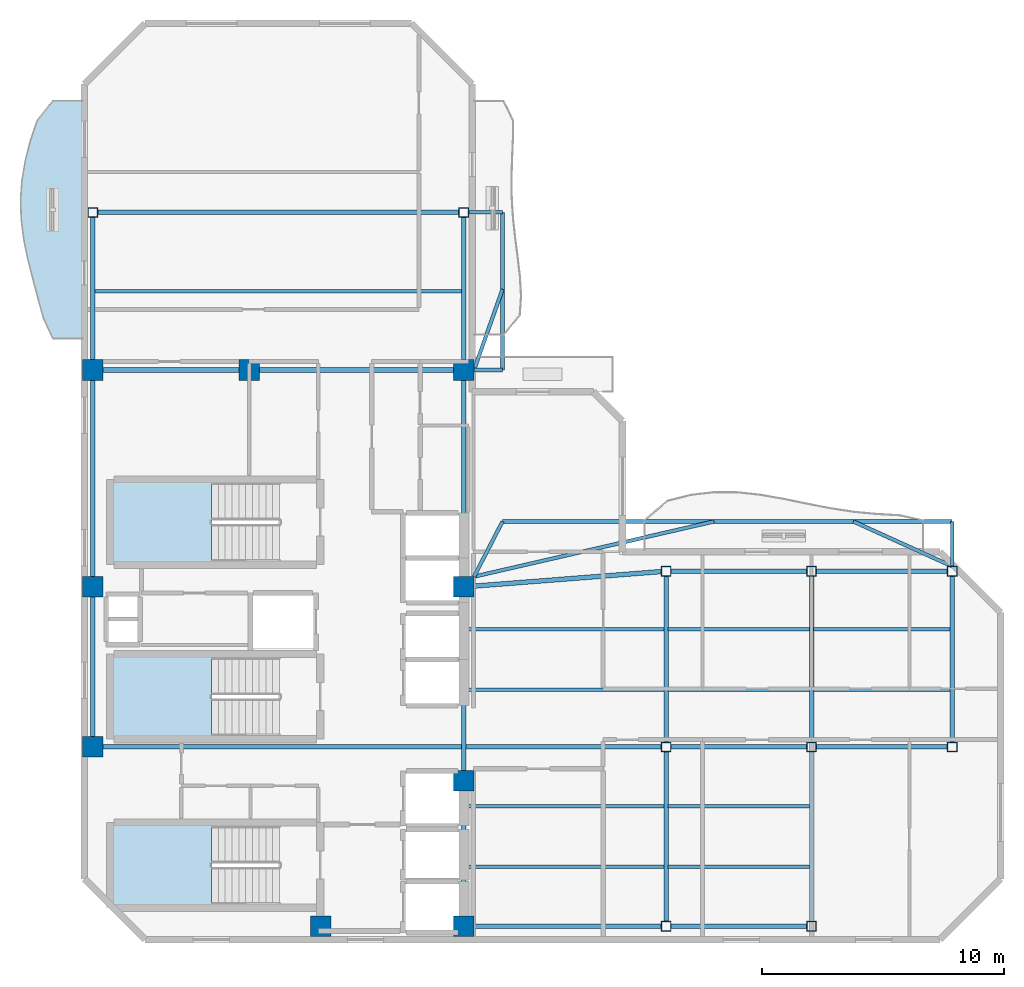
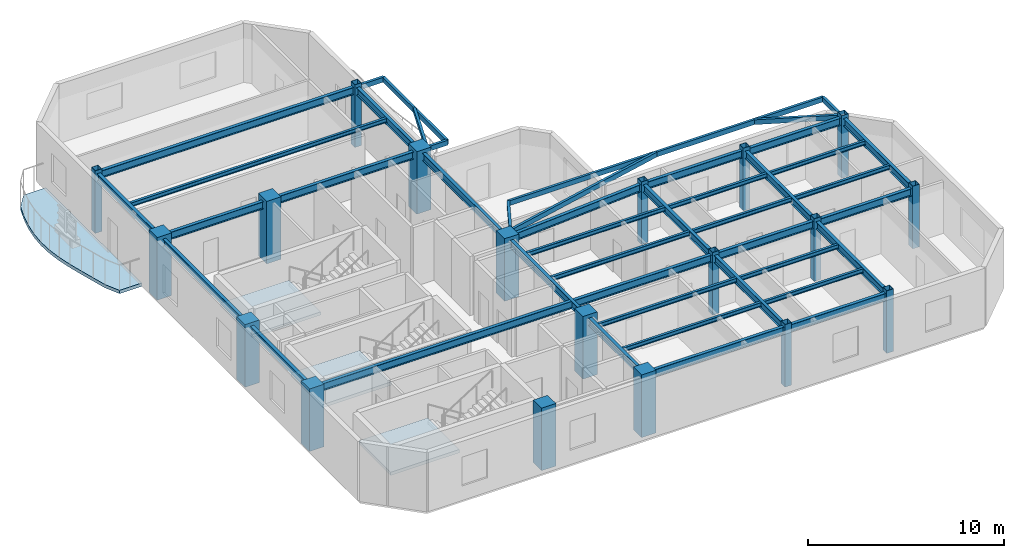
# One storey, part 1 of 8: 43 beams, 19 columns, 4 slabs, 3 elements without a shape of their own.
"""IFC4 building model written with IfcOpenShell, lengths in metres."""

from ifc_helpers import new_model, si_unit, direction, frame, origin, origin_2d, place, context, subcontext, project, spatial, polyline, rectangle, hollow_rectangle, i_section, outline, extrude, material, layer, layer_set, material_profile, profile_set, type_object, element, aggregate, save


model = new_model("IFC4")

# Units and contexts
model_context = context("Model", 3, precision=1e-05, world=origin(), true_north=direction((0.0, 1.0)))
body_context = subcontext(model_context, "Body", "Model", "MODEL_VIEW")
ifc_project = project(units=[si_unit("LENGTHUNIT", "METRE"), si_unit("AREAUNIT", "SQUARE_METRE"), si_unit("VOLUMEUNIT", "CUBIC_METRE"), si_unit("PLANEANGLEUNIT", "RADIAN"), si_unit("MASSUNIT", "GRAM", prefix="KILO")], contexts=[model_context])

# Site, building, storey
site_placement = place(None, origin())
site = spatial("IfcSite", under=ifc_project, at=site_placement, CompositionType="ELEMENT")
building_placement = place(site_placement, origin())
building = spatial("IfcBuilding", under=site, at=building_placement, Name="Mawjaban Terraces University", CompositionType="ELEMENT")
storey_placement = place(building_placement, frame((0.0, 0.0, 267.699951171875)))
storey = spatial("IfcBuildingStorey", under=building, at=storey_placement, Name="L65", CompositionType="ELEMENT", Elevation=267.699951171875)

# Columns
ifc_material_1 = material(Name="Concrete C50/60", Category="concrete")
ifc_material_profile_1 = material_profile(ifc_material_1, rectangle(XDim=0.85009765625, YDim=0.85009765625, at=origin_2d()), Name="RC850X850")
ifc_profile_set_1 = profile_set([ifc_material_profile_1], Name="Concrete C50/60")
column_type_1 = type_object("IfcColumnType", Name="Col_RC850X850", PredefinedType="COLUMN", material=ifc_profile_set_1)
for number, where, z_axis, x_axis, name in (
    (1, (31.75, 0.550048828125, 0.0), (0.0, 0.0, 1.0), (1.0, 0.0, 0.0), "L65 Column CC2"),
    (2, (37.64990234375, 0.550048828125, 0.0), (0.0, 0.0, 1.0), (1.0, 0.0, 0.0), "L65 Column CC3"),
    (3, (22.35009765625, 7.949951171875, 0.0), (0.0, 0.0, 1.0), (1.0, 0.0, 0.0), "L65 Column CC4"),
    (4, (37.64990234375, 6.550048828125, 0.0), (0.0, 0.0, 1.0), (1.0, 0.0, 0.0), "L65 Column CC5"),
    (5, (22.35009765625, 14.550048828125, 0.0), (0.0, 0.0, 1.0), (1.0, 0.0, 0.0), "L65 Column CC6"),
    (6, (37.64990234375, 14.550048828125, 0.0), (0.0, 0.0, 1.0), (1.0, 0.0, 0.0), "L65 Column CC7"),
    (7, (22.35009765625, 23.5, 0.0), (0.0, 0.0, 1.0), (1.0, 0.0, 0.0), "L65 Column CC8"),
    (8, (28.800048828125, 23.5, 0.0), (0.0, 0.0, 1.0), (1.0, 0.0, 0.0), "L65 Column CC9"),
    (9, (37.64990234375, 23.5, 0.0), (0.0, 0.0, 1.0), (1.0, 0.0, 0.0), "L65 Column CC10"),
):
    element("IfcColumn", number, at=place(storey_placement, frame(where, z_axis=z_axis, x_axis=x_axis)), inside=storey, type_object=column_type_1, Name=name, PredefinedType="COLUMN", context=body_context, shape_type="SweptSolid", body=[
        extrude(rectangle(XDim=0.85009765625, YDim=0.85009765625, at=origin_2d()), origin(), (0.0, 0.0, 1.0), 3.900146484375),
    ])
ifc_material_2 = material(Name="Steel EN 10210-1 S355J2H", Category="steel")
ifc_material_profile_2 = material_profile(ifc_material_2, hollow_rectangle(XDim=0.39990234375, YDim=0.39990234375, WallThickness=0.02001953125, at=origin_2d()), Name="SHS400X400X20")
ifc_profile_set_2 = profile_set([ifc_material_profile_2], Name="Steel EN 10210-1 S355J2H")
column_type_2 = type_object("IfcColumnType", Name="Col_SHS400X400X20", PredefinedType="COLUMN", material=ifc_profile_set_2)
for number, where, z_axis, x_axis, name in (
    (10, (46.0, 0.550048828125, 0.0), (0.0, 0.0, 1.0), (1.0, 0.0, 0.0), "L65 Column TE-460-005"),
    (11, (46.0, 7.949951171875, 0.0), (0.0, 0.0, 1.0), (1.0, 0.0, 0.0), "L65 Column TE-460-080"),
    (12, (46.0, 15.199951171875, 0.0), (0.0, 0.0, 1.0), (1.0, 0.0, 0.0), "L65 Column TE-460-152"),
    (13, (52.0, 0.550048828125, 0.0), (0.0, 0.0, 1.0), (1.0, 0.0, 0.0), "L65 Column TE-520-005"),
    (14, (52.0, 7.949951171875, 0.0), (0.0, 0.0, 1.0), (1.0, 0.0, 0.0), "L65 Column TE-520-080"),
    (15, (52.0, 15.199951171875, 0.0), (0.0, 0.0, 1.0), (1.0, 0.0, 0.0), "L65 Column TE-520-152"),
    (16, (57.800048828125, 7.949951171875, 0.0), (0.0, 0.0, 1.0), (1.0, 0.0, 0.0), "L65 Column TE-578-080"),
    (17, (57.800048828125, 15.199951171875, 0.0), (0.0, 0.0, 1.0), (1.0, 0.0, 0.0), "L65 Column TE-578-152"),
    (18, (22.35009765625, 30.0, 0.0), (0.0, 0.0, 1.0), (1.0, 0.0, 0.0), "L65 Column TN-223-300"),
    (19, (37.64990234375, 30.0, 0.0), (0.0, 0.0, 1.0), (1.0, 0.0, 0.0), "L65 Column TN-376-300"),
):
    element("IfcColumn", number, at=place(storey_placement, frame(where, z_axis=z_axis, x_axis=x_axis)), inside=storey, type_object=column_type_2, Name=name, PredefinedType="COLUMN", context=body_context, shape_type="SweptSolid", body=[
        extrude(hollow_rectangle(XDim=0.39990234375, YDim=0.39990234375, WallThickness=0.02001953125, at=origin_2d()), origin(), (0.0, 0.0, 1.0), 3.900146484375),
    ])

# Beams
ifc_material_profile_3 = material_profile(ifc_material_2, hollow_rectangle(XDim=0.14990234375, YDim=0.300048828125, WallThickness=0.012451171875, at=origin_2d()), Name="RHS300X150X12.5")
ifc_profile_set_3 = profile_set([ifc_material_profile_3], Name="Steel EN 10210-1 S355J2H")
beam_type_1 = type_object("IfcBeamType", Name="BalconyCantileverSpandrel_RHS", PredefinedType="SPANDREL", material=ifc_profile_set_3)
beam_1_placement = place(storey_placement, frame((38.074951171875, 14.97509765625, 3.5400390625), z_axis=(0.458922210771, 0.88847645127, 0.0), x_axis=(-0.88847645127, 0.458922210771, 0.0)))
element("IfcBeam", 20, at=beam_1_placement, inside=storey, type_object=beam_type_1, Name="L65 Corner Outrigger BAL-L66-N", PredefinedType="SPANDREL", context=body_context, shape_type="SweptSolid", body=[
    extrude(hollow_rectangle(XDim=0.14990234375, YDim=0.300048828125, WallThickness=0.012451171875, at=origin_2d()), origin(), (0.0, 0.0, 1.0), 2.560546875),
])
beam_2_placement = place(storey_placement, frame((57.800048828125, 15.39990234375, 3.5400390625), z_axis=(0.0, 1.0, 0.0), x_axis=(-1.0, 0.0, 0.0)))
element("IfcBeam", 21, at=beam_2_placement, inside=storey, type_object=beam_type_1, Name="L65 Exterior Outrigger BAL-L66-N.2", PredefinedType="SPANDREL", context=body_context, shape_type="SweptSolid", body=[
    extrude(hollow_rectangle(XDim=0.14990234375, YDim=0.300048828125, WallThickness=0.012451171875, at=origin_2d()), origin(), (0.0, 0.0, 1.0), 1.85009765625),
])
beam_3_placement = place(storey_placement, frame((39.25, 17.25, 3.5400390625), z_axis=(1.0, 0.0, 0.0), x_axis=(0.0, 1.0, 0.0)))
element("IfcBeam", 22, at=beam_3_placement, inside=storey, type_object=beam_type_1, Name="L65 Exterior Edge Spandrel BAL-L66-N", PredefinedType="SPANDREL", context=body_context, shape_type="SweptSolid", body=[
    extrude(hollow_rectangle(XDim=0.14990234375, YDim=0.300048828125, WallThickness=0.012451171875, at=origin_2d()), origin(), (0.0, 0.0, 1.0), 18.550048828125),
])
beam_4_placement = place(storey_placement, frame((38.074951171875, 14.97509765625, 3.5400390625), z_axis=(0.974600999447, 0.223948413426, 0.0), x_axis=(-0.223948413426, 0.974600999447, 0.0)))
element("IfcBeam", 23, at=beam_4_placement, inside=storey, type_object=beam_type_1, Name="L65 Exterior Diagonal Strut BAL-L66-N.1", PredefinedType="SPANDREL", context=body_context, shape_type="SweptSolid", body=[
    extrude(hollow_rectangle(XDim=0.14990234375, YDim=0.300048828125, WallThickness=0.012451171875, at=origin_2d()), origin(), (0.0, 0.0, 1.0), 10.158203125),
])
beam_5_placement = place(storey_placement, frame((57.800048828125, 15.39990234375, 3.5400390625), z_axis=(-0.910547611438, 0.413404217811, 0.0), x_axis=(-0.413404217811, -0.910547611438, 0.0)))
element("IfcBeam", 24, at=beam_5_placement, inside=storey, type_object=beam_type_1, Name="L65 Exterior Diagonal Strut BAL-L66-N.2", PredefinedType="SPANDREL", context=body_context, shape_type="SweptSolid", body=[
    extrude(hollow_rectangle(XDim=0.14990234375, YDim=0.300048828125, WallThickness=0.012451171875, at=origin_2d()), origin(), (0.0, 0.0, 1.0), 4.475341796875),
])
beam_6_placement = place(storey_placement, frame((38.074951171875, 23.5, 3.5400390625), z_axis=(1.0, 0.0, 0.0), x_axis=(0.0, 1.0, 0.0)))
element("IfcBeam", 25, at=beam_6_placement, inside=storey, type_object=beam_type_1, Name="L65 Exterior Outrigger BAL-L66-E.1", PredefinedType="SPANDREL", context=body_context, shape_type="SweptSolid", body=[
    extrude(hollow_rectangle(XDim=0.14990234375, YDim=0.300048828125, WallThickness=0.012451171875, at=origin_2d()), origin(), (0.0, 0.0, 1.0), 1.175048828125),
])
beam_7_placement = place(storey_placement, frame((37.85009765625, 30.0, 3.5400390625), z_axis=(1.0, 0.0, 0.0), x_axis=(0.0, 1.0, 0.0)))
element("IfcBeam", 26, at=beam_7_placement, inside=storey, type_object=beam_type_1, Name="L65 Exterior Outrigger BAL-L66-E.2", PredefinedType="SPANDREL", context=body_context, shape_type="SweptSolid", body=[
    extrude(hollow_rectangle(XDim=0.14990234375, YDim=0.300048828125, WallThickness=0.012451171875, at=origin_2d()), origin(), (0.0, 0.0, 1.0), 1.39990234375),
])
beam_8_placement = place(storey_placement, frame((39.25, 23.5, 3.5400390625), z_axis=(0.0, 1.0, 0.0), x_axis=(-1.0, 0.0, 0.0)))
element("IfcBeam", 27, at=beam_8_placement, inside=storey, type_object=beam_type_1, Name="L65 Exterior Edge Spandrel BAL-L66-E", PredefinedType="SPANDREL", context=body_context, shape_type="SweptSolid", body=[
    extrude(hollow_rectangle(XDim=0.14990234375, YDim=0.300048828125, WallThickness=0.012451171875, at=origin_2d()), origin(), (0.0, 0.0, 1.0), 6.5),
])
beam_9_placement = place(storey_placement, frame((38.074951171875, 23.5, 3.5400390625), z_axis=(0.332751406337, 0.943014581849, 0.0), x_axis=(-0.943014581849, 0.332751406337, 0.0)))
element("IfcBeam", 28, at=beam_9_placement, inside=storey, type_object=beam_type_1, Name="L65 Exterior Diagonal Strut BAL-L66-E.1", PredefinedType="SPANDREL", context=body_context, shape_type="SweptSolid", body=[
    extrude(hollow_rectangle(XDim=0.14990234375, YDim=0.300048828125, WallThickness=0.012451171875, at=origin_2d()), origin(), (0.0, 0.0, 1.0), 3.53125),
])
ifc_material_3 = material(Name="Steel ASTM A572 Grade 50", Category="steel")
ifc_material_profile_4 = material_profile(ifc_material_3, i_section(OverallWidth=0.19189453125, OverallDepth=0.462890625, WebThickness=0.010498046875, FlangeThickness=0.017578125, at=origin_2d()), Name="W460X89")
ifc_profile_set_4 = profile_set([ifc_material_profile_4], Name="Steel ASTM A572 Grade 50")
beam_type_2 = type_object("IfcBeamType", Name="Beam_B_W460X89", PredefinedType="BEAM", material=ifc_profile_set_4)
beam_10_placement = place(storey_placement, frame((38.074951171875, 0.550048828125, 3.458984375), z_axis=(1.0, 0.0, 0.0), x_axis=(0.0, 1.0, 0.0)))
element("IfcBeam", 29, at=beam_10_placement, inside=storey, type_object=beam_type_2, Name="L65 Beam BM-L65-EW-01", PredefinedType="BEAM", context=body_context, shape_type="SweptSolid", body=[
    extrude(i_section(OverallWidth=0.19189453125, OverallDepth=0.462890625, WebThickness=0.010498046875, FlangeThickness=0.017578125, at=origin_2d()), origin(), (0.0, 0.0, 1.0), 7.72509765625),
])
beam_11_placement = place(storey_placement, frame((46.199951171875, 0.550048828125, 3.458984375), z_axis=(1.0, 0.0, 0.0), x_axis=(0.0, 1.0, 0.0)))
element("IfcBeam", 30, at=beam_11_placement, inside=storey, type_object=beam_type_2, Name="L65 Beam BM-L65-EW-02", PredefinedType="BEAM", context=body_context, shape_type="SweptSolid", body=[
    extrude(i_section(OverallWidth=0.19189453125, OverallDepth=0.462890625, WebThickness=0.010498046875, FlangeThickness=0.017578125, at=origin_2d()), origin(), (0.0, 0.0, 1.0), 5.60009765625),
])
beam_12_placement = place(storey_placement, frame((22.77490234375, 7.949951171875, 3.458984375), z_axis=(1.0, 0.0, 0.0), x_axis=(0.0, 1.0, 0.0)))
element("IfcBeam", 31, at=beam_12_placement, inside=storey, type_object=beam_type_2, Name="L65 Beam BM-L65-EW-03", PredefinedType="BEAM", context=body_context, shape_type="SweptSolid", body=[
    extrude(i_section(OverallWidth=0.19189453125, OverallDepth=0.462890625, WebThickness=0.010498046875, FlangeThickness=0.017578125, at=origin_2d()), origin(), (0.0, 0.0, 1.0), 23.025146484375),
])
beam_13_placement = place(storey_placement, frame((46.199951171875, 7.949951171875, 3.458984375), z_axis=(1.0, 0.0, 0.0), x_axis=(0.0, 1.0, 0.0)))
element("IfcBeam", 32, at=beam_13_placement, inside=storey, type_object=beam_type_2, Name="L65 Beam BM-L65-EW-04", PredefinedType="BEAM", context=body_context, shape_type="SweptSolid", body=[
    extrude(i_section(OverallWidth=0.19189453125, OverallDepth=0.462890625, WebThickness=0.010498046875, FlangeThickness=0.017578125, at=origin_2d()), origin(), (0.0, 0.0, 1.0), 5.60009765625),
])
beam_14_placement = place(storey_placement, frame((52.199951171875, 7.949951171875, 3.458984375), z_axis=(1.0, 0.0, 0.0), x_axis=(0.0, 1.0, 0.0)))
element("IfcBeam", 33, at=beam_14_placement, inside=storey, type_object=beam_type_2, Name="L65 Beam BM-L65-EW-05", PredefinedType="BEAM", context=body_context, shape_type="SweptSolid", body=[
    extrude(i_section(OverallWidth=0.19189453125, OverallDepth=0.462890625, WebThickness=0.010498046875, FlangeThickness=0.017578125, at=origin_2d()), origin(), (0.0, 0.0, 1.0), 5.400146484375),
])
beam_15_placement = place(storey_placement, frame((46.199951171875, 15.199951171875, 3.458984375), z_axis=(1.0, 0.0, 0.0), x_axis=(0.0, 1.0, 0.0)))
element("IfcBeam", 34, at=beam_15_placement, inside=storey, type_object=beam_type_2, Name="L65 Beam BM-L65-EW-06", PredefinedType="BEAM", context=body_context, shape_type="SweptSolid", body=[
    extrude(i_section(OverallWidth=0.19189453125, OverallDepth=0.462890625, WebThickness=0.010498046875, FlangeThickness=0.017578125, at=origin_2d()), origin(), (0.0, 0.0, 1.0), 5.60009765625),
])
beam_16_placement = place(storey_placement, frame((52.199951171875, 15.199951171875, 3.458984375), z_axis=(1.0, 0.0, 0.0), x_axis=(0.0, 1.0, 0.0)))
element("IfcBeam", 35, at=beam_16_placement, inside=storey, type_object=beam_type_2, Name="L65 Beam BM-L65-EW-07", PredefinedType="BEAM", context=body_context, shape_type="SweptSolid", body=[
    extrude(i_section(OverallWidth=0.19189453125, OverallDepth=0.462890625, WebThickness=0.010498046875, FlangeThickness=0.017578125, at=origin_2d()), origin(), (0.0, 0.0, 1.0), 5.400146484375),
])
beam_17_placement = place(storey_placement, frame((22.77490234375, 23.5, 3.458984375), z_axis=(1.0, 0.0, 0.0), x_axis=(0.0, 1.0, 0.0)))
element("IfcBeam", 36, at=beam_17_placement, inside=storey, type_object=beam_type_2, Name="L65 Beam BM-L65-EW-08", PredefinedType="BEAM", context=body_context, shape_type="SweptSolid", body=[
    extrude(i_section(OverallWidth=0.19189453125, OverallDepth=0.462890625, WebThickness=0.010498046875, FlangeThickness=0.017578125, at=origin_2d()), origin(), (0.0, 0.0, 1.0), 5.60009765625),
])
beam_18_placement = place(storey_placement, frame((29.22509765625, 23.5, 3.458984375), z_axis=(1.0, 0.0, 0.0), x_axis=(0.0, 1.0, 0.0)))
element("IfcBeam", 37, at=beam_18_placement, inside=storey, type_object=beam_type_2, Name="L65 Beam BM-L65-EW-09", PredefinedType="BEAM", context=body_context, shape_type="SweptSolid", body=[
    extrude(i_section(OverallWidth=0.19189453125, OverallDepth=0.462890625, WebThickness=0.010498046875, FlangeThickness=0.017578125, at=origin_2d()), origin(), (0.0, 0.0, 1.0), 8.0),
])
beam_19_placement = place(storey_placement, frame((22.550048828125, 30.0, 3.458984375), z_axis=(1.0, 0.0, 0.0), x_axis=(0.0, 1.0, 0.0)))
element("IfcBeam", 38, at=beam_19_placement, inside=storey, type_object=beam_type_2, Name="L65 Beam BM-L65-EW-10", PredefinedType="BEAM", context=body_context, shape_type="SweptSolid", body=[
    extrude(i_section(OverallWidth=0.19189453125, OverallDepth=0.462890625, WebThickness=0.010498046875, FlangeThickness=0.017578125, at=origin_2d()), origin(), (0.0, 0.0, 1.0), 14.89990234375),
])
beam_20_placement = place(storey_placement, frame((22.35009765625, 8.375, 3.458984375), z_axis=(0.0, 1.0, 0.0), x_axis=(-1.0, 0.0, 0.0)))
element("IfcBeam", 39, at=beam_20_placement, inside=storey, type_object=beam_type_2, Name="L65 Beam BM-L65-NS-01", PredefinedType="BEAM", context=body_context, shape_type="SweptSolid", body=[
    extrude(i_section(OverallWidth=0.19189453125, OverallDepth=0.462890625, WebThickness=0.010498046875, FlangeThickness=0.017578125, at=origin_2d()), origin(), (0.0, 0.0, 1.0), 5.75),
])
beam_21_placement = place(storey_placement, frame((22.35009765625, 14.97509765625, 3.458984375), z_axis=(0.0, 1.0, 0.0), x_axis=(-1.0, 0.0, 0.0)))
element("IfcBeam", 40, at=beam_21_placement, inside=storey, type_object=beam_type_2, Name="L65 Beam BM-L65-NS-02", PredefinedType="BEAM", context=body_context, shape_type="SweptSolid", body=[
    extrude(i_section(OverallWidth=0.19189453125, OverallDepth=0.462890625, WebThickness=0.010498046875, FlangeThickness=0.017578125, at=origin_2d()), origin(), (0.0, 0.0, 1.0), 8.099853515625),
])
beam_22_placement = place(storey_placement, frame((22.35009765625, 23.925048828125, 3.458984375), z_axis=(0.0, 1.0, 0.0), x_axis=(-1.0, 0.0, 0.0)))
element("IfcBeam", 41, at=beam_22_placement, inside=storey, type_object=beam_type_2, Name="L65 Beam BM-L65-NS-03", PredefinedType="BEAM", context=body_context, shape_type="SweptSolid", body=[
    extrude(i_section(OverallWidth=0.19189453125, OverallDepth=0.462890625, WebThickness=0.010498046875, FlangeThickness=0.017578125, at=origin_2d()), origin(), (0.0, 0.0, 1.0), 5.875),
])
beam_23_placement = place(storey_placement, frame((37.64990234375, 0.97509765625, 3.458984375), z_axis=(0.0, 1.0, 0.0), x_axis=(-1.0, 0.0, 0.0)))
element("IfcBeam", 42, at=beam_23_placement, inside=storey, type_object=beam_type_2, Name="L65 Beam BM-L65-NS-04", PredefinedType="BEAM", context=body_context, shape_type="SweptSolid", body=[
    extrude(i_section(OverallWidth=0.19189453125, OverallDepth=0.462890625, WebThickness=0.010498046875, FlangeThickness=0.017578125, at=origin_2d()), origin(), (0.0, 0.0, 1.0), 5.14990234375),
])
beam_24_placement = place(storey_placement, frame((37.64990234375, 6.97509765625, 3.458984375), z_axis=(0.0, 1.0, 0.0), x_axis=(-1.0, 0.0, 0.0)))
element("IfcBeam", 43, at=beam_24_placement, inside=storey, type_object=beam_type_2, Name="L65 Beam BM-L65-NS-05", PredefinedType="BEAM", context=body_context, shape_type="SweptSolid", body=[
    extrude(i_section(OverallWidth=0.19189453125, OverallDepth=0.462890625, WebThickness=0.010498046875, FlangeThickness=0.017578125, at=origin_2d()), origin(), (0.0, 0.0, 1.0), 7.14990234375),
])
beam_25_placement = place(storey_placement, frame((37.64990234375, 14.97509765625, 3.458984375), z_axis=(0.0, 1.0, 0.0), x_axis=(-1.0, 0.0, 0.0)))
element("IfcBeam", 44, at=beam_25_placement, inside=storey, type_object=beam_type_2, Name="L65 Beam BM-L65-NS-06", PredefinedType="BEAM", context=body_context, shape_type="SweptSolid", body=[
    extrude(i_section(OverallWidth=0.19189453125, OverallDepth=0.462890625, WebThickness=0.010498046875, FlangeThickness=0.017578125, at=origin_2d()), origin(), (0.0, 0.0, 1.0), 8.099853515625),
])
beam_26_placement = place(storey_placement, frame((37.64990234375, 23.925048828125, 3.458984375), z_axis=(0.0, 1.0, 0.0), x_axis=(-1.0, 0.0, 0.0)))
element("IfcBeam", 45, at=beam_26_placement, inside=storey, type_object=beam_type_2, Name="L65 Beam BM-L65-NS-07", PredefinedType="BEAM", context=body_context, shape_type="SweptSolid", body=[
    extrude(i_section(OverallWidth=0.19189453125, OverallDepth=0.462890625, WebThickness=0.010498046875, FlangeThickness=0.017578125, at=origin_2d()), origin(), (0.0, 0.0, 1.0), 5.875),
])
beam_27_placement = place(storey_placement, frame((46.0, 0.75, 3.458984375), z_axis=(0.0, 1.0, 0.0), x_axis=(-1.0, 0.0, 0.0)))
element("IfcBeam", 46, at=beam_27_placement, inside=storey, type_object=beam_type_2, Name="L65 Beam BM-L65-NS-08", PredefinedType="BEAM", context=body_context, shape_type="SweptSolid", body=[
    extrude(i_section(OverallWidth=0.19189453125, OverallDepth=0.462890625, WebThickness=0.010498046875, FlangeThickness=0.017578125, at=origin_2d()), origin(), (0.0, 0.0, 1.0), 7.0),
])
beam_28_placement = place(storey_placement, frame((46.0, 8.14990234375, 3.458984375), z_axis=(0.0, 1.0, 0.0), x_axis=(-1.0, 0.0, 0.0)))
element("IfcBeam", 47, at=beam_28_placement, inside=storey, type_object=beam_type_2, Name="L65 Beam BM-L65-NS-09", PredefinedType="BEAM", context=body_context, shape_type="SweptSolid", body=[
    extrude(i_section(OverallWidth=0.19189453125, OverallDepth=0.462890625, WebThickness=0.010498046875, FlangeThickness=0.017578125, at=origin_2d()), origin(), (0.0, 0.0, 1.0), 6.85009765625),
])
beam_29_placement = place(storey_placement, frame((52.0, 0.75, 3.458984375), z_axis=(0.0, 1.0, 0.0), x_axis=(-1.0, 0.0, 0.0)))
element("IfcBeam", 48, at=beam_29_placement, inside=storey, type_object=beam_type_2, Name="L65 Beam BM-L65-NS-10", PredefinedType="BEAM", context=body_context, shape_type="SweptSolid", body=[
    extrude(i_section(OverallWidth=0.19189453125, OverallDepth=0.462890625, WebThickness=0.010498046875, FlangeThickness=0.017578125, at=origin_2d()), origin(), (0.0, 0.0, 1.0), 7.0),
])
for number, where, z_axis, x_axis, name in (
    (49, (52.0, 8.14990234375, 3.458984375), (0.0, 1.0, 0.0), (-1.0, 0.0, 0.0), "L65 Beam BM-L65-NS-11"),
    (50, (57.800048828125, 8.14990234375, 3.458984375), (0.0, 1.0, 0.0), (-1.0, 0.0, 0.0), "L65 Beam BM-L65-NS-12"),
):
    element("IfcBeam", number, at=place(storey_placement, frame(where, z_axis=z_axis, x_axis=x_axis)), inside=storey, type_object=beam_type_2, Name=name, PredefinedType="BEAM", context=body_context, shape_type="SweptSolid", body=[
        extrude(i_section(OverallWidth=0.19189453125, OverallDepth=0.462890625, WebThickness=0.010498046875, FlangeThickness=0.017578125, at=origin_2d()), origin(), (0.0, 0.0, 1.0), 6.85009765625),
    ])
beam_30_placement = place(storey_placement, frame((38.073974609375, 14.5830078125, 3.458984375), z_axis=(0.996988151141, 0.077554023005, 0.0), x_axis=(-0.077554023005, 0.996988151141, 0.0)))
element("IfcBeam", 51, at=beam_30_placement, inside=storey, type_object=beam_type_2, Name="L65 Beam BM-L65-CTIE", PredefinedType="BEAM", context=body_context, shape_type="SweptSolid", body=[
    extrude(i_section(OverallWidth=0.19189453125, OverallDepth=0.462890625, WebThickness=0.010498046875, FlangeThickness=0.017578125, at=origin_2d()), origin(), (0.0, 0.0, 1.0), 7.75048828125),
])
ifc_material_profile_5 = material_profile(ifc_material_3, i_section(OverallWidth=0.14794921875, OverallDepth=0.26611328125, WebThickness=0.007568359375, FlangeThickness=0.012939453125, at=origin_2d()), Name="W250X45")
ifc_profile_set_5 = profile_set([ifc_material_profile_5], Name="Steel ASTM A572 Grade 50")
beam_type_3 = type_object("IfcBeamType", Name="Beam_J_W250X45", PredefinedType="JOIST", material=ifc_profile_set_5)
beam_31_placement = place(storey_placement, frame((37.72998046875, 3.0, 3.55712890625), z_axis=(1.0, 0.0, 0.0), x_axis=(0.0, 1.0, 0.0)))
element("IfcBeam", 52, at=beam_31_placement, inside=storey, type_object=beam_type_3, Name="L65 Composite Joist JST-L65-01", PredefinedType="JOIST", context=body_context, shape_type="SweptSolid", body=[
    extrude(i_section(OverallWidth=0.14794921875, OverallDepth=0.26611328125, WebThickness=0.007568359375, FlangeThickness=0.012939453125, at=origin_2d()), origin(), (0.0, 0.0, 1.0), 8.18994140625),
])
beam_32_placement = place(storey_placement, frame((46.080078125, 3.0, 3.55712890625), z_axis=(1.0, 0.0, 0.0), x_axis=(0.0, 1.0, 0.0)))
element("IfcBeam", 53, at=beam_32_placement, inside=storey, type_object=beam_type_3, Name="L65 Composite Joist JST-L65-02", PredefinedType="JOIST", context=body_context, shape_type="SweptSolid", body=[
    extrude(i_section(OverallWidth=0.14794921875, OverallDepth=0.26611328125, WebThickness=0.007568359375, FlangeThickness=0.012939453125, at=origin_2d()), origin(), (0.0, 0.0, 1.0), 5.83984375),
])
beam_33_placement = place(storey_placement, frame((37.72998046875, 5.5, 3.55712890625), z_axis=(1.0, 0.0, 0.0), x_axis=(0.0, 1.0, 0.0)))
element("IfcBeam", 54, at=beam_33_placement, inside=storey, type_object=beam_type_3, Name="L65 Composite Joist JST-L65-03", PredefinedType="JOIST", context=body_context, shape_type="SweptSolid", body=[
    extrude(i_section(OverallWidth=0.14794921875, OverallDepth=0.26611328125, WebThickness=0.007568359375, FlangeThickness=0.012939453125, at=origin_2d()), origin(), (0.0, 0.0, 1.0), 8.18994140625),
])
beam_34_placement = place(storey_placement, frame((46.080078125, 5.5, 3.55712890625), z_axis=(1.0, 0.0, 0.0), x_axis=(0.0, 1.0, 0.0)))
element("IfcBeam", 55, at=beam_34_placement, inside=storey, type_object=beam_type_3, Name="L65 Composite Joist JST-L65-04", PredefinedType="JOIST", context=body_context, shape_type="SweptSolid", body=[
    extrude(i_section(OverallWidth=0.14794921875, OverallDepth=0.26611328125, WebThickness=0.007568359375, FlangeThickness=0.012939453125, at=origin_2d()), origin(), (0.0, 0.0, 1.0), 5.83984375),
])
beam_35_placement = place(storey_placement, frame((37.72998046875, 10.300048828125, 3.55712890625), z_axis=(1.0, 0.0, 0.0), x_axis=(0.0, 1.0, 0.0)))
element("IfcBeam", 56, at=beam_35_placement, inside=storey, type_object=beam_type_3, Name="L65 Composite Joist JST-L65-05", PredefinedType="JOIST", context=body_context, shape_type="SweptSolid", body=[
    extrude(i_section(OverallWidth=0.14794921875, OverallDepth=0.26611328125, WebThickness=0.007568359375, FlangeThickness=0.012939453125, at=origin_2d()), origin(), (0.0, 0.0, 1.0), 8.18994140625),
])
beam_36_placement = place(storey_placement, frame((46.080078125, 10.300048828125, 3.55712890625), z_axis=(1.0, 0.0, 0.0), x_axis=(0.0, 1.0, 0.0)))
element("IfcBeam", 57, at=beam_36_placement, inside=storey, type_object=beam_type_3, Name="L65 Composite Joist JST-L65-06", PredefinedType="JOIST", context=body_context, shape_type="SweptSolid", body=[
    extrude(i_section(OverallWidth=0.14794921875, OverallDepth=0.26611328125, WebThickness=0.007568359375, FlangeThickness=0.012939453125, at=origin_2d()), origin(), (0.0, 0.0, 1.0), 5.83984375),
])
beam_37_placement = place(storey_placement, frame((52.080078125, 10.300048828125, 3.55712890625), z_axis=(1.0, 0.0, 0.0), x_axis=(0.0, 1.0, 0.0)))
element("IfcBeam", 58, at=beam_37_placement, inside=storey, type_object=beam_type_3, Name="L65 Composite Joist JST-L65-07", PredefinedType="JOIST", context=body_context, shape_type="SweptSolid", body=[
    extrude(i_section(OverallWidth=0.14794921875, OverallDepth=0.26611328125, WebThickness=0.007568359375, FlangeThickness=0.012939453125, at=origin_2d()), origin(), (0.0, 0.0, 1.0), 5.639892578125),
])
beam_38_placement = place(storey_placement, frame((37.72998046875, 12.800048828125, 3.55712890625), z_axis=(1.0, 0.0, 0.0), x_axis=(0.0, 1.0, 0.0)))
element("IfcBeam", 59, at=beam_38_placement, inside=storey, type_object=beam_type_3, Name="L65 Composite Joist JST-L65-08", PredefinedType="JOIST", context=body_context, shape_type="SweptSolid", body=[
    extrude(i_section(OverallWidth=0.14794921875, OverallDepth=0.26611328125, WebThickness=0.007568359375, FlangeThickness=0.012939453125, at=origin_2d()), origin(), (0.0, 0.0, 1.0), 8.18994140625),
])
beam_39_placement = place(storey_placement, frame((46.080078125, 12.800048828125, 3.55712890625), z_axis=(1.0, 0.0, 0.0), x_axis=(0.0, 1.0, 0.0)))
element("IfcBeam", 60, at=beam_39_placement, inside=storey, type_object=beam_type_3, Name="L65 Composite Joist JST-L65-09", PredefinedType="JOIST", context=body_context, shape_type="SweptSolid", body=[
    extrude(i_section(OverallWidth=0.14794921875, OverallDepth=0.26611328125, WebThickness=0.007568359375, FlangeThickness=0.012939453125, at=origin_2d()), origin(), (0.0, 0.0, 1.0), 5.83984375),
])
beam_40_placement = place(storey_placement, frame((52.080078125, 12.800048828125, 3.55712890625), z_axis=(1.0, 0.0, 0.0), x_axis=(0.0, 1.0, 0.0)))
element("IfcBeam", 61, at=beam_40_placement, inside=storey, type_object=beam_type_3, Name="L65 Composite Joist JST-L65-10", PredefinedType="JOIST", context=body_context, shape_type="SweptSolid", body=[
    extrude(i_section(OverallWidth=0.14794921875, OverallDepth=0.26611328125, WebThickness=0.007568359375, FlangeThickness=0.012939453125, at=origin_2d()), origin(), (0.0, 0.0, 1.0), 5.639892578125),
])
beam_41_placement = place(storey_placement, frame((22.429931640625, 26.75, 3.55712890625), z_axis=(1.0, 0.0, 0.0), x_axis=(0.0, 1.0, 0.0)))
element("IfcBeam", 62, at=beam_41_placement, inside=storey, type_object=beam_type_3, Name="L65 Composite Joist JST-L65-11", PredefinedType="JOIST", context=body_context, shape_type="SweptSolid", body=[
    extrude(i_section(OverallWidth=0.14794921875, OverallDepth=0.26611328125, WebThickness=0.007568359375, FlangeThickness=0.012939453125, at=origin_2d()), origin(), (0.0, 0.0, 1.0), 15.14013671875),
])

# Slab
ifc_material_4 = material(Name="Concrete C40/50", Category="concrete")
ifc_layer_1 = layer(ifc_material_4, 0.2099609375)
ifc_layer_set_1 = layer_set([ifc_layer_1], Name="Concrete C40/50")
slab_type_1 = type_object("IfcSlabType", Name="BalconySlab_210_Ext", PredefinedType="FLOOR", material=ifc_layer_set_1)
slab_1_placement = place(storey_placement, frame((0.0, 0.0, -0.2099609375)))
element("IfcSlab", 63, at=slab_1_placement, inside=storey, type_object=slab_type_1, Name="L65 Planted Balcony Slab west", PredefinedType="FLOOR", context=body_context, shape_type="SweptSolid", body=[
    extrude(outline(polyline([(22.010009765625, 24.800048828125), (22.010009765625, 34.60009765625), (20.699951171875, 34.60009765625), (20.052001953125, 33.782958984375), (19.77587890625, 32.967041015625), (19.56591796875, 32.14990234375), (19.427001953125, 31.3330078125), (19.368896484375, 30.51708984375), (19.39697265625, 29.699951171875), (19.5009765625, 28.883056640625), (19.66796875, 28.06689453125), (19.8740234375, 27.25), (20.094970703125, 26.43310546875), (20.31591796875, 25.616943359375), (20.699951171875, 24.800048828125), (22.010009765625, 24.800048828125)])), origin(), (0.0, 0.0, 1.0), 0.2099609375),
])

# Stair, slab
stair_type = type_object("IfcStairType", Name="Stair_Core1550_H39", PredefinedType="HALF_TURN_STAIR", material=ifc_material_4)
stair_1_placement = place(storey_placement, origin())
stair_1 = element("IfcStair", 64, at=stair_1_placement, inside=storey, type_object=stair_type, Name="L65 Core Exit Stair 1", PredefinedType="HALF_TURN_STAIR")
ifc_layer_2 = layer(ifc_material_4, 0.199951171875)
ifc_layer_set_2 = layer_set([ifc_layer_2], Name="Concrete C40/50")
slab_type_2 = type_object("IfcSlabType", Name="StairLandingSlab_200", PredefinedType="LANDING", material=ifc_layer_set_2)
slab_2_placement = place(storey_placement, frame((0.0, 0.0, 1.75)))
slab_2 = element("IfcSlab", 65, at=slab_2_placement, type_object=slab_type_2, Name="ST-1 landing 1", PredefinedType="LANDING", context=body_context, shape_type="SweptSolid", body=[
    extrude(outline(polyline([(27.25, 4.699951171875), (23.199951171875, 4.699951171875), (23.199951171875, 1.449951171875), (27.25, 1.449951171875), (27.25, 4.699951171875)])), origin(), (0.0, 0.0, 1.0), 0.199951171875),
])
aggregate(stair_1, [slab_2])

stair_2_placement = place(storey_placement, origin())
stair_2 = element("IfcStair", 66, at=stair_2_placement, inside=storey, type_object=stair_type, Name="L65 Core Exit Stair 2", PredefinedType="HALF_TURN_STAIR")
slab_3_placement = place(storey_placement, frame((0.0, 0.0, 1.75)))
slab_3 = element("IfcSlab", 67, at=slab_3_placement, type_object=slab_type_2, Name="ST-2 landing 1", PredefinedType="LANDING", context=body_context, shape_type="SweptSolid", body=[
    extrude(outline(polyline([(27.25, 18.85009765625), (23.199951171875, 18.85009765625), (23.199951171875, 15.60009765625), (27.25, 15.60009765625), (27.25, 18.85009765625)])), origin(), (0.0, 0.0, 1.0), 0.199951171875),
])
aggregate(stair_2, [slab_3])

stair_3_placement = place(storey_placement, origin())
stair_3 = element("IfcStair", 68, at=stair_3_placement, inside=storey, type_object=stair_type, Name="L65 Core Exit Stair 3", PredefinedType="HALF_TURN_STAIR")
slab_4_placement = place(storey_placement, frame((0.0, 0.0, 1.75)))
slab_4 = element("IfcSlab", 69, at=slab_4_placement, type_object=slab_type_2, Name="ST-3 landing 1", PredefinedType="LANDING", context=body_context, shape_type="SweptSolid", body=[
    extrude(outline(polyline([(27.25, 11.64990234375), (23.199951171875, 11.64990234375), (23.199951171875, 8.39990234375), (27.25, 8.39990234375), (27.25, 11.64990234375)])), origin(), (0.0, 0.0, 1.0), 0.199951171875),
])
aggregate(stair_3, [slab_4])

save(model, "model.ifc")
